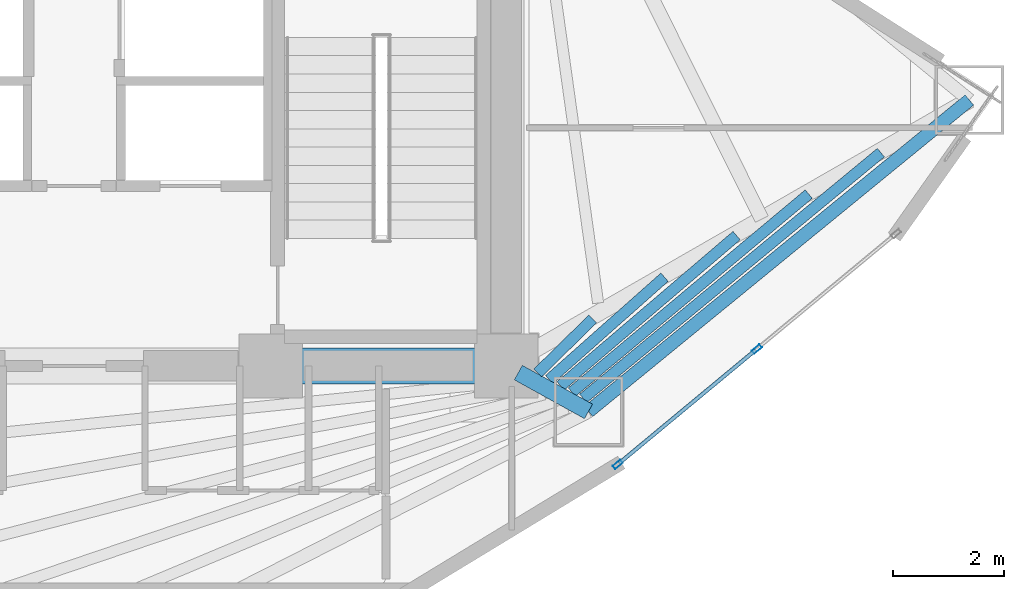
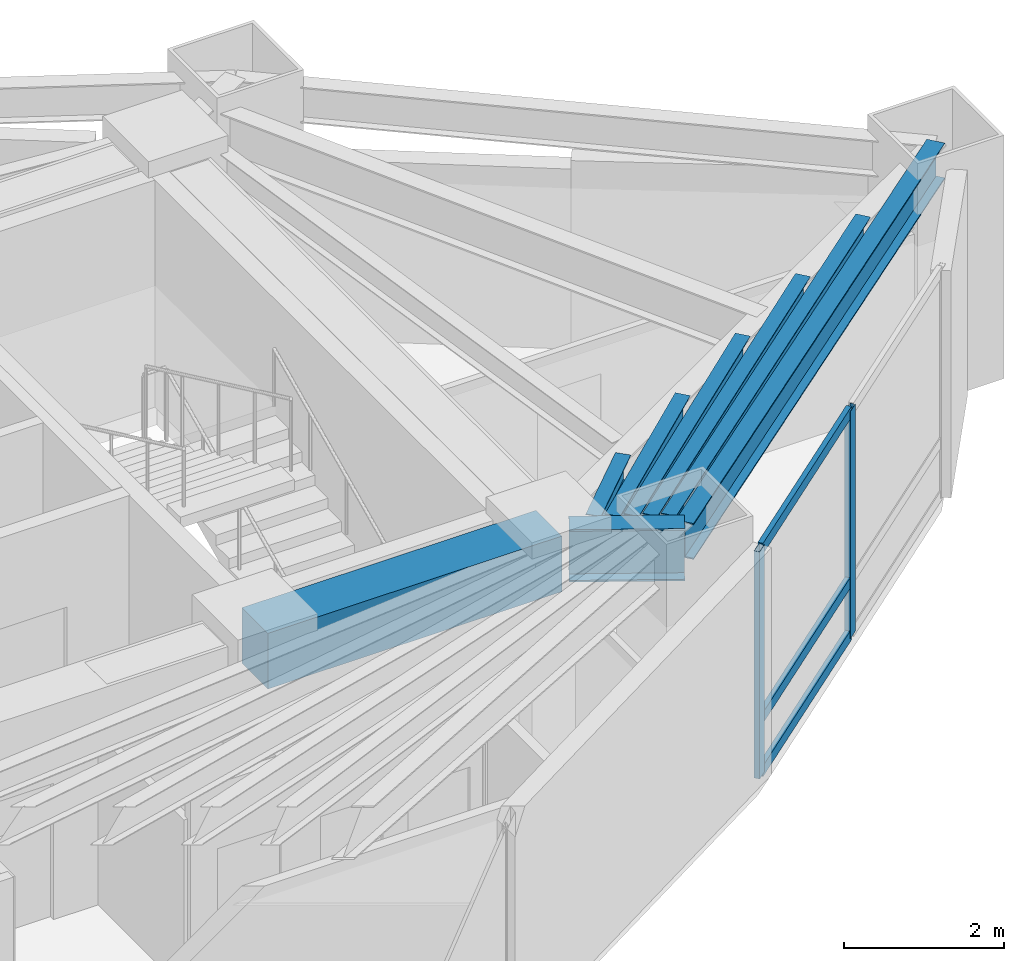
# One storey, part 16 of 23: 8 beams, 5 members, 1 element without a shape of its own.
"""IFC4 building model written with IfcOpenShell, lengths in metres."""

from ifc_helpers import new_model, si_unit, direction, frame, origin, origin_2d, place, context, subcontext, project, spatial, rectangle, hollow_rectangle, i_section, extrude, material, layer, layer_set, material_profile, profile_set, type_object, element, aggregate, save


model = new_model("IFC4")

# Units and contexts
model_context = context("Model", 3, precision=1e-05, world=origin(), true_north=direction((0.0, 1.0)))
body_context = subcontext(model_context, "Body", "Model", "MODEL_VIEW")
ifc_project = project(units=[si_unit("LENGTHUNIT", "METRE"), si_unit("AREAUNIT", "SQUARE_METRE"), si_unit("VOLUMEUNIT", "CUBIC_METRE"), si_unit("PLANEANGLEUNIT", "RADIAN"), si_unit("MASSUNIT", "GRAM", prefix="KILO")], contexts=[model_context])

# Site, building, storey
site_placement = place(None, origin())
site = spatial("IfcSite", under=ifc_project, at=site_placement, CompositionType="ELEMENT")
building_placement = place(site_placement, origin())
building = spatial("IfcBuilding", under=site, at=building_placement, Name="Menara Vayukalpa", CompositionType="ELEMENT")
storey_placement = place(building_placement, frame((0.0, 0.0, 103.97998046875)))
storey = spatial("IfcBuildingStorey", under=building, at=storey_placement, Name="L25", CompositionType="ELEMENT", Elevation=103.97998046875)

# Beams
ifc_material_1 = material(Name="Concrete C60/75", Category="concrete")
ifc_material_profile_1 = material_profile(ifc_material_1, rectangle(XDim=0.64990234375, YDim=0.85009765625, at=origin_2d()), Name="RC 650x850")
ifc_profile_set_1 = profile_set([ifc_material_profile_1], Name="Concrete C60/75")
beam_type_1 = type_object("IfcBeamType", Name="BM-CB1", PredefinedType="BEAM", material=ifc_profile_set_1)
beam_1_placement = place(storey_placement, frame((29.14990234375, 17.199951171875, 3.044921875), z_axis=(1.0, 0.0, 0.0), x_axis=(0.0, 1.0, 0.0)))
element("IfcBeam", 1, at=beam_1_placement, inside=storey, type_object=beam_type_1, Name="L25 Core Tie Beam CBR3", PredefinedType="BEAM", context=body_context, shape_type="SweptSolid", body=[
    extrude(rectangle(XDim=0.64990234375, YDim=0.85009765625, at=origin_2d()), origin(), (0.0, 0.0, 1.0), 4.25),
])
ifc_material_2 = material(Name="Steel S355", Category="steel")
ifc_material_profile_2 = material_profile(ifc_material_2, i_section(OverallWidth=0.300048828125, OverallDepth=0.800048828125, WebThickness=0.013916015625, FlangeThickness=0.02587890625, at=origin_2d()), Name="WF 800x300x14x26")
ifc_profile_set_2 = profile_set([ifc_material_profile_2], Name="Steel S355")
beam_type_2 = type_object("IfcBeamType", Name="BM-PG3", PredefinedType="BEAM", material=ifc_profile_set_2)
beam_2_placement = place(storey_placement, frame((33.618896484375, 17.0791015625, 3.070068359375), z_axis=(0.875228391676, -0.48370989488, 0.0), x_axis=(0.48370989488, 0.875228391676, 0.0)))
element("IfcBeam", 2, at=beam_2_placement, inside=storey, type_object=beam_type_2, Name="L25 Primary Radial Girder RG09", PredefinedType="BEAM", context=body_context, shape_type="SweptSolid", body=[
    extrude(i_section(OverallWidth=0.300048828125, OverallDepth=0.800048828125, WebThickness=0.013916015625, FlangeThickness=0.02587890625, at=origin_2d()), origin(), (0.0, 0.0, 1.0), 1.448486328125),
])
ifc_material_3 = material(Name="Steel S355", Category="steel")
ifc_material_profile_3 = material_profile(ifc_material_3, i_section(OverallWidth=0.199951171875, OverallDepth=0.39990234375, WebThickness=0.008056640625, FlangeThickness=0.012939453125, at=origin_2d()), Name="WF 400x200x8x13")
ifc_profile_set_3 = profile_set([ifc_material_profile_3], Name="Steel S355")
beam_type_3 = type_object("IfcBeamType", Name="BM-SJ2", PredefinedType="JOIST", material=ifc_profile_set_3)
beam_3_placement = place(storey_placement, frame((33.968505859375, 17.072021484375, 3.27001953125), z_axis=(0.713567159094, 0.700586832208, 0.0), x_axis=(-0.700586832208, 0.713567159094, 0.0)))
element("IfcBeam", 3, at=beam_3_placement, inside=storey, type_object=beam_type_3, Name="L25 Secondary Floor Joist SJ09-1", PredefinedType="JOIST", context=body_context, shape_type="SweptSolid", body=[
    extrude(i_section(OverallWidth=0.199951171875, OverallDepth=0.39990234375, WebThickness=0.008056640625, FlangeThickness=0.012939453125, at=origin_2d()), origin(), (0.0, 0.0, 1.0), 1.391845703125),
])
beam_4_placement = place(storey_placement, frame((34.177001953125, 16.95361328125, 3.27001953125), z_axis=(0.747951028434, 0.663753914539, 0.0), x_axis=(-0.663753914539, 0.747951028434, 0.0)))
element("IfcBeam", 4, at=beam_4_placement, inside=storey, type_object=beam_type_3, Name="L25 Secondary Floor Joist SJ09-2", PredefinedType="JOIST", context=body_context, shape_type="SweptSolid", body=[
    extrude(i_section(OverallWidth=0.199951171875, OverallDepth=0.39990234375, WebThickness=0.008056640625, FlangeThickness=0.012939453125, at=origin_2d()), origin(), (0.0, 0.0, 1.0), 2.78369140625),
])
beam_5_placement = place(storey_placement, frame((34.382080078125, 16.839111328125, 3.27001953125), z_axis=(0.760566613353, 0.649259906858, 0.0), x_axis=(-0.649259906858, 0.760566613353, 0.0)))
element("IfcBeam", 5, at=beam_5_placement, inside=storey, type_object=beam_type_3, Name="L25 Secondary Floor Joist SJ09-3", PredefinedType="JOIST", context=body_context, shape_type="SweptSolid", body=[
    extrude(i_section(OverallWidth=0.199951171875, OverallDepth=0.39990234375, WebThickness=0.008056640625, FlangeThickness=0.012939453125, at=origin_2d()), origin(), (0.0, 0.0, 1.0), 4.178466796875),
])
beam_6_placement = place(storey_placement, frame((34.586181640625, 16.7255859375, 3.27001953125), z_axis=(0.767139570374, 0.64148022539, 0.0), x_axis=(-0.64148022539, 0.767139570374, 0.0)))
element("IfcBeam", 6, at=beam_6_placement, inside=storey, type_object=beam_type_3, Name="L25 Secondary Floor Joist SJ09-4", PredefinedType="JOIST", context=body_context, shape_type="SweptSolid", body=[
    extrude(i_section(OverallWidth=0.199951171875, OverallDepth=0.39990234375, WebThickness=0.008056640625, FlangeThickness=0.012939453125, at=origin_2d()), origin(), (0.0, 0.0, 1.0), 5.57421875),
])
beam_7_placement = place(storey_placement, frame((34.789794921875, 16.61279296875, 3.27001953125), z_axis=(0.771153144941, 0.636649689428, 0.0), x_axis=(-0.636649689428, 0.771153144941, 0.0)))
element("IfcBeam", 7, at=beam_7_placement, inside=storey, type_object=beam_type_3, Name="L25 Secondary Floor Joist SJ09-5", PredefinedType="JOIST", context=body_context, shape_type="SweptSolid", body=[
    extrude(i_section(OverallWidth=0.199951171875, OverallDepth=0.39990234375, WebThickness=0.008056640625, FlangeThickness=0.012939453125, at=origin_2d()), origin(), (0.0, 0.0, 1.0), 6.969970703125),
])
ifc_material_4 = material(Name="Steel S355", Category="steel")
ifc_material_profile_4 = material_profile(ifc_material_4, i_section(OverallWidth=0.239990234375, OverallDepth=0.550048828125, WebThickness=0.010986328125, FlangeThickness=0.01904296875, at=origin_2d()), Name="WF 550x240x11x19")
ifc_profile_set_4 = profile_set([ifc_material_profile_4], Name="Steel S355")
beam_type_4 = type_object("IfcBeamType", Name="BM-SP2", PredefinedType="SPANDREL", material=ifc_profile_set_4)
beam_8_placement = place(storey_placement, frame((34.88671875, 16.37841796875, 3.195068359375), z_axis=(0.774156906301, 0.632993747541, 0.0), x_axis=(-0.632993747541, 0.774156906301, 0.0)))
element("IfcBeam", 8, at=beam_8_placement, inside=storey, type_object=beam_type_4, Name="L25 Perimeter Spandrel Beam SP09", PredefinedType="SPANDREL", context=body_context, shape_type="SweptSolid", body=[
    extrude(i_section(OverallWidth=0.239990234375, OverallDepth=0.550048828125, WebThickness=0.010986328125, FlangeThickness=0.01904296875, at=origin_2d()), origin(), (0.0, 0.0, 1.0), 8.880859375),
])

# Curtain wall, members
ifc_material_5 = material(Name="Anodised Terracotta Aluminium Alloy 6063-T6", Category="masonry")
ifc_layer = layer(ifc_material_5, 0.179931640625)
ifc_layer_set = layer_set([ifc_layer], Name="Anodised Terracotta Aluminium Alloy 6063-T6")
curtain_wall_type = type_object("IfcCurtainWallType", Name="CW-CW4", PredefinedType="USERDEFINED", material=ifc_layer_set)
curtain_wall_placement = place(storey_placement, origin())
curtain_wall = element("IfcCurtainWall", 9, at=curtain_wall_placement, inside=storey, type_object=curtain_wall_type, Name="L25 Sky Bar Cantilever Glazed Curtain Wall CW4 19", ObjectType="UNITISED", PredefinedType="USERDEFINED")
ifc_material_6 = material(Name="Anodised Terracotta Aluminium Alloy 6063-T6", Category="masonry")
ifc_material_profile_5 = material_profile(ifc_material_6, hollow_rectangle(XDim=0.074951171875, YDim=0.179931640625, WallThickness=0.00390625, at=origin_2d()), Name="ALU 75x180x4")
ifc_profile_set_5 = profile_set([ifc_material_profile_5], Name="Anodised Terracotta Aluminium Alloy 6063-T6")
member_type_1 = type_object("IfcMemberType", Name="CWM-CW4", PredefinedType="MULLION", material=ifc_profile_set_5)
member_1_placement = place(storey_placement, frame((35.414794921875, 15.422119140625, 0.0), z_axis=(0.0, 0.0, 1.0), x_axis=(-0.638345501574, 0.769749972797, 0.0)))
member_1 = element("IfcMember", 10, at=member_1_placement, type_object=member_type_1, Name="CW4 mullion 1", PredefinedType="MULLION", context=body_context, shape_type="SweptSolid", body=[
    extrude(hollow_rectangle(XDim=0.074951171875, YDim=0.179931640625, WallThickness=0.00390625, at=origin_2d()), origin(), (0.0, 0.0, 1.0), 3.469970703125),
])
member_2_placement = place(storey_placement, frame((37.9267578125, 17.505126953125, 0.0), z_axis=(0.0, 0.0, 1.0), x_axis=(-0.638345501574, 0.769749972797, 0.0)))
member_2 = element("IfcMember", 11, at=member_2_placement, type_object=member_type_1, Name="CW4 mullion 2", PredefinedType="MULLION", context=body_context, shape_type="SweptSolid", body=[
    extrude(hollow_rectangle(XDim=0.074951171875, YDim=0.179931640625, WallThickness=0.00390625, at=origin_2d()), origin(), (0.0, 0.0, 1.0), 3.469970703125),
])
ifc_material_7 = material(Name="Anodised Terracotta Aluminium Alloy 6063-T6", Category="masonry")
ifc_material_profile_6 = material_profile(ifc_material_7, hollow_rectangle(XDim=0.070068359375, YDim=0.1650390625, WallThickness=0.00390625, at=origin_2d()), Name="ALU 70x165x4")
ifc_profile_set_6 = profile_set([ifc_material_profile_6], Name="Anodised Terracotta Aluminium Alloy 6063-T6")
member_type_2 = type_object("IfcMemberType", Name="CWT-CW4", PredefinedType="USERDEFINED", material=ifc_profile_set_6)
member_3_placement = place(storey_placement, frame((35.44384765625, 15.446044921875, 0.034912109375), z_axis=(0.769750618465, 0.638344722993, 0.0), x_axis=(-0.638344722993, 0.769750618465, 0.0)))
member_3 = element("IfcMember", 12, at=member_3_placement, type_object=member_type_2, Name="CW4 transom 1.1", ObjectType="TRANSOM", PredefinedType="USERDEFINED", context=body_context, shape_type="SweptSolid", body=[
    extrude(hollow_rectangle(XDim=0.070068359375, YDim=0.1650390625, WallThickness=0.00390625, at=origin_2d()), origin(), (0.0, 0.0, 1.0), 3.188232421875),
])
member_4_placement = place(storey_placement, frame((35.44384765625, 15.446044921875, 0.85009765625), z_axis=(0.769750618465, 0.638344722993, 0.0), x_axis=(-0.638344722993, 0.769750618465, 0.0)))
member_4 = element("IfcMember", 13, at=member_4_placement, type_object=member_type_2, Name="CW4 transom 1.2", ObjectType="TRANSOM", PredefinedType="USERDEFINED", context=body_context, shape_type="SweptSolid", body=[
    extrude(hollow_rectangle(XDim=0.070068359375, YDim=0.1650390625, WallThickness=0.00390625, at=origin_2d()), origin(), (0.0, 0.0, 1.0), 3.188232421875),
])
member_5_placement = place(storey_placement, frame((35.44384765625, 15.446044921875, 3.43505859375), z_axis=(0.769750618465, 0.638344722993, 0.0), x_axis=(-0.638344722993, 0.769750618465, 0.0)))
member_5 = element("IfcMember", 14, at=member_5_placement, type_object=member_type_2, Name="CW4 transom 1.3", ObjectType="TRANSOM", PredefinedType="USERDEFINED", context=body_context, shape_type="SweptSolid", body=[
    extrude(hollow_rectangle(XDim=0.070068359375, YDim=0.1650390625, WallThickness=0.00390625, at=origin_2d()), origin(), (0.0, 0.0, 1.0), 3.188232421875),
])
aggregate(curtain_wall, [member_1, member_2, member_3, member_4, member_5])

save(model, "model.ifc")
